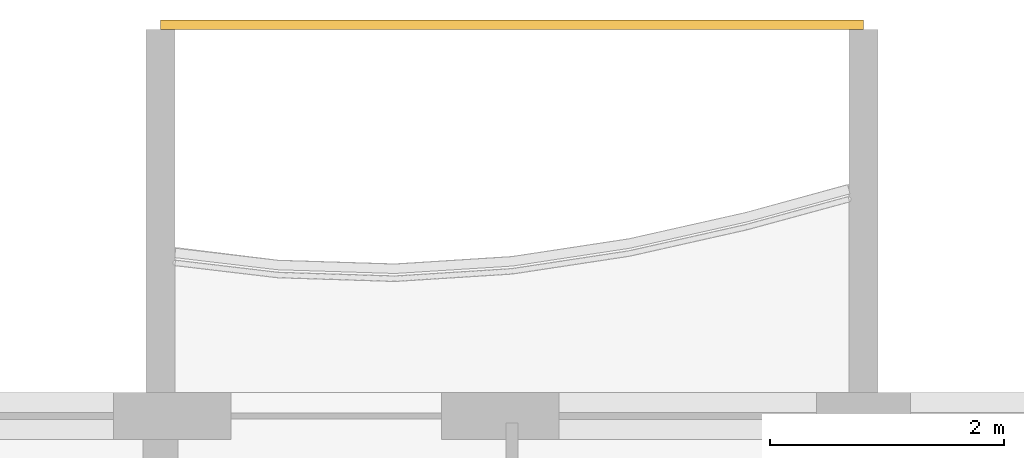
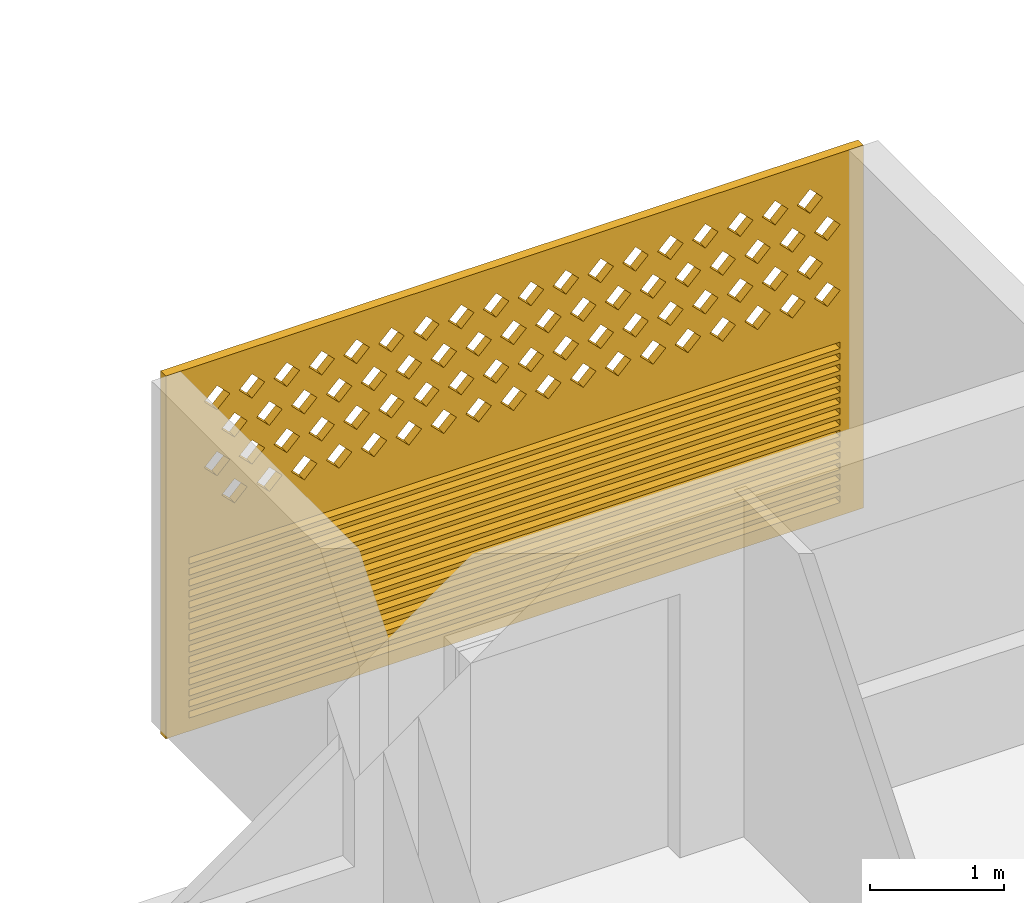
# One storey, part 26 of 32: 1 covering.
"""IFC4 building model written with IfcOpenShell, lengths in metres."""

from ifc_helpers import new_model, si_unit, direction, frame, origin, place, context, subcontext, project, spatial, polyline, outline, extrude, source, transform, mapped, material, material_profile, profile_set, type_object, element, save


model = new_model("IFC4")

# Units and contexts
model_context = context("Model", 3, precision=1e-05, world=origin(), true_north=direction((0.0, 1.0)))
body_context = subcontext(model_context, "Body", "Model", "MODEL_VIEW")
ifc_project = project(units=[si_unit("LENGTHUNIT", "METRE"), si_unit("AREAUNIT", "SQUARE_METRE"), si_unit("VOLUMEUNIT", "CUBIC_METRE"), si_unit("PLANEANGLEUNIT", "RADIAN"), si_unit("MASSUNIT", "GRAM", prefix="KILO")], contexts=[model_context])

# Site, building, storey
site_placement = place(None, origin())
site = spatial("IfcSite", under=ifc_project, at=site_placement, CompositionType="ELEMENT")
building_placement = place(site_placement, origin())
building = spatial("IfcBuilding", under=site, at=building_placement, Name="Poui Terraces", CompositionType="ELEMENT")
storey_placement = place(building_placement, frame((0.0, 0.0, 125.699951171875)))
storey = spatial("IfcBuildingStorey", under=building, at=storey_placement, Name="L34", CompositionType="ELEMENT", Elevation=125.699951171875)

# Covering
ifc_material = material(Name="Terracotta screen", Category="masonry")
ifc_material_profile = material_profile(ifc_material, outline(polyline([(-3.0, -1.64990234375), (3.0, -1.64990234375), (3.0, 1.64990234375), (-3.0, 1.64990234375), (-3.0, -1.64990234375)]), holes=[polyline([(-2.800048828125, 0.39990234375), (-2.68994140625, 0.2900390625), (-2.580078125, 0.39990234375), (-2.68994140625, 0.510009765625), (-2.800048828125, 0.39990234375)]), polyline([(-2.5, 0.39990234375), (-2.389892578125, 0.2900390625), (-2.280029296875, 0.39990234375), (-2.389892578125, 0.510009765625), (-2.5, 0.39990234375)]), polyline([(-2.199951171875, 0.39990234375), (-2.090087890625, 0.2900390625), (-1.97998046875, 0.39990234375), (-2.090087890625, 0.510009765625), (-2.199951171875, 0.39990234375)]), polyline([(-1.89990234375, 0.39990234375), (-1.7900390625, 0.2900390625), (-1.679931640625, 0.39990234375), (-1.7900390625, 0.510009765625), (-1.89990234375, 0.39990234375)]), polyline([(-1.60009765625, 0.39990234375), (-1.489990234375, 0.2900390625), (-1.3798828125, 0.39990234375), (-1.489990234375, 0.510009765625), (-1.60009765625, 0.39990234375)]), polyline([(-1.300048828125, 0.39990234375), (-1.18994140625, 0.2900390625), (-1.080078125, 0.39990234375), (-1.18994140625, 0.510009765625), (-1.300048828125, 0.39990234375)]), polyline([(-1.0, 0.39990234375), (-0.889892578125, 0.2900390625), (-0.780029296875, 0.39990234375), (-0.889892578125, 0.510009765625), (-1.0, 0.39990234375)]), polyline([(-0.699951171875, 0.39990234375), (-0.590087890625, 0.2900390625), (-0.47998046875, 0.39990234375), (-0.590087890625, 0.510009765625), (-0.699951171875, 0.39990234375)]), polyline([(-0.39990234375, 0.39990234375), (-0.2900390625, 0.2900390625), (-0.179931640625, 0.39990234375), (-0.2900390625, 0.510009765625), (-0.39990234375, 0.39990234375)]), polyline([(-0.10009765625, 0.39990234375), (0.010009765625, 0.2900390625), (0.1201171875, 0.39990234375), (0.010009765625, 0.510009765625), (-0.10009765625, 0.39990234375)]), polyline([(0.199951171875, 0.39990234375), (0.31005859375, 0.2900390625), (0.419921875, 0.39990234375), (0.31005859375, 0.510009765625), (0.199951171875, 0.39990234375)]), polyline([(0.5, 0.39990234375), (0.610107421875, 0.2900390625), (0.719970703125, 0.39990234375), (0.610107421875, 0.510009765625), (0.5, 0.39990234375)]), polyline([(0.800048828125, 0.39990234375), (0.909912109375, 0.2900390625), (1.02001953125, 0.39990234375), (0.909912109375, 0.510009765625), (0.800048828125, 0.39990234375)]), polyline([(1.10009765625, 0.39990234375), (1.2099609375, 0.2900390625), (1.320068359375, 0.39990234375), (1.2099609375, 0.510009765625), (1.10009765625, 0.39990234375)]), polyline([(1.39990234375, 0.39990234375), (1.510009765625, 0.2900390625), (1.6201171875, 0.39990234375), (1.510009765625, 0.510009765625), (1.39990234375, 0.39990234375)]), polyline([(1.699951171875, 0.39990234375), (1.81005859375, 0.2900390625), (1.919921875, 0.39990234375), (1.81005859375, 0.510009765625), (1.699951171875, 0.39990234375)]), polyline([(2.0, 0.39990234375), (2.110107421875, 0.2900390625), (2.219970703125, 0.39990234375), (2.110107421875, 0.510009765625), (2.0, 0.39990234375)]), polyline([(2.300048828125, 0.39990234375), (2.409912109375, 0.2900390625), (2.52001953125, 0.39990234375), (2.409912109375, 0.510009765625), (2.300048828125, 0.39990234375)]), polyline([(-2.64990234375, 0.699951171875), (-2.5400390625, 0.590087890625), (-2.429931640625, 0.699951171875), (-2.5400390625, 0.81005859375), (-2.64990234375, 0.699951171875)]), polyline([(-2.35009765625, 0.699951171875), (-2.239990234375, 0.590087890625), (-2.1298828125, 0.699951171875), (-2.239990234375, 0.81005859375), (-2.35009765625, 0.699951171875)]), polyline([(-2.050048828125, 0.699951171875), (-1.93994140625, 0.590087890625), (-1.830078125, 0.699951171875), (-1.93994140625, 0.81005859375), (-2.050048828125, 0.699951171875)]), polyline([(-1.75, 0.699951171875), (-1.639892578125, 0.590087890625), (-1.530029296875, 0.699951171875), (-1.639892578125, 0.81005859375), (-1.75, 0.699951171875)]), polyline([(-1.449951171875, 0.699951171875), (-1.340087890625, 0.590087890625), (-1.22998046875, 0.699951171875), (-1.340087890625, 0.81005859375), (-1.449951171875, 0.699951171875)]), polyline([(-1.14990234375, 0.699951171875), (-1.0400390625, 0.590087890625), (-0.929931640625, 0.699951171875), (-1.0400390625, 0.81005859375), (-1.14990234375, 0.699951171875)]), polyline([(-0.85009765625, 0.699951171875), (-0.739990234375, 0.590087890625), (-0.6298828125, 0.699951171875), (-0.739990234375, 0.81005859375), (-0.85009765625, 0.699951171875)]), polyline([(-0.550048828125, 0.699951171875), (-0.43994140625, 0.590087890625), (-0.330078125, 0.699951171875), (-0.43994140625, 0.81005859375), (-0.550048828125, 0.699951171875)]), polyline([(-0.25, 0.699951171875), (-0.139892578125, 0.590087890625), (-0.030029296875, 0.699951171875), (-0.139892578125, 0.81005859375), (-0.25, 0.699951171875)]), polyline([(0.050048828125, 0.699951171875), (0.159912109375, 0.590087890625), (0.27001953125, 0.699951171875), (0.159912109375, 0.81005859375), (0.050048828125, 0.699951171875)]), polyline([(0.35009765625, 0.699951171875), (0.4599609375, 0.590087890625), (0.570068359375, 0.699951171875), (0.4599609375, 0.81005859375), (0.35009765625, 0.699951171875)]), polyline([(0.64990234375, 0.699951171875), (0.760009765625, 0.590087890625), (0.8701171875, 0.699951171875), (0.760009765625, 0.81005859375), (0.64990234375, 0.699951171875)]), polyline([(0.949951171875, 0.699951171875), (1.06005859375, 0.590087890625), (1.169921875, 0.699951171875), (1.06005859375, 0.81005859375), (0.949951171875, 0.699951171875)]), polyline([(1.25, 0.699951171875), (1.360107421875, 0.590087890625), (1.469970703125, 0.699951171875), (1.360107421875, 0.81005859375), (1.25, 0.699951171875)]), polyline([(1.550048828125, 0.699951171875), (1.659912109375, 0.590087890625), (1.77001953125, 0.699951171875), (1.659912109375, 0.81005859375), (1.550048828125, 0.699951171875)]), polyline([(1.85009765625, 0.699951171875), (1.9599609375, 0.590087890625), (2.070068359375, 0.699951171875), (1.9599609375, 0.81005859375), (1.85009765625, 0.699951171875)]), polyline([(2.14990234375, 0.699951171875), (2.260009765625, 0.590087890625), (2.3701171875, 0.699951171875), (2.260009765625, 0.81005859375), (2.14990234375, 0.699951171875)]), polyline([(2.449951171875, 0.699951171875), (2.56005859375, 0.590087890625), (2.669921875, 0.699951171875), (2.56005859375, 0.81005859375), (2.449951171875, 0.699951171875)]), polyline([(-2.800048828125, 1.0), (-2.68994140625, 0.889892578125), (-2.580078125, 1.0), (-2.68994140625, 1.110107421875), (-2.800048828125, 1.0)]), polyline([(-2.5, 1.0), (-2.389892578125, 0.889892578125), (-2.280029296875, 1.0), (-2.389892578125, 1.110107421875), (-2.5, 1.0)]), polyline([(-2.199951171875, 1.0), (-2.090087890625, 0.889892578125), (-1.97998046875, 1.0), (-2.090087890625, 1.110107421875), (-2.199951171875, 1.0)]), polyline([(-1.89990234375, 1.0), (-1.7900390625, 0.889892578125), (-1.679931640625, 1.0), (-1.7900390625, 1.110107421875), (-1.89990234375, 1.0)]), polyline([(-1.60009765625, 1.0), (-1.489990234375, 0.889892578125), (-1.3798828125, 1.0), (-1.489990234375, 1.110107421875), (-1.60009765625, 1.0)]), polyline([(-1.300048828125, 1.0), (-1.18994140625, 0.889892578125), (-1.080078125, 1.0), (-1.18994140625, 1.110107421875), (-1.300048828125, 1.0)]), polyline([(-1.0, 1.0), (-0.889892578125, 0.889892578125), (-0.780029296875, 1.0), (-0.889892578125, 1.110107421875), (-1.0, 1.0)]), polyline([(-0.699951171875, 1.0), (-0.590087890625, 0.889892578125), (-0.47998046875, 1.0), (-0.590087890625, 1.110107421875), (-0.699951171875, 1.0)]), polyline([(-0.39990234375, 1.0), (-0.2900390625, 0.889892578125), (-0.179931640625, 1.0), (-0.2900390625, 1.110107421875), (-0.39990234375, 1.0)]), polyline([(-0.10009765625, 1.0), (0.010009765625, 0.889892578125), (0.1201171875, 1.0), (0.010009765625, 1.110107421875), (-0.10009765625, 1.0)]), polyline([(0.199951171875, 1.0), (0.31005859375, 0.889892578125), (0.419921875, 1.0), (0.31005859375, 1.110107421875), (0.199951171875, 1.0)]), polyline([(0.5, 1.0), (0.610107421875, 0.889892578125), (0.719970703125, 1.0), (0.610107421875, 1.110107421875), (0.5, 1.0)]), polyline([(0.800048828125, 1.0), (0.909912109375, 0.889892578125), (1.02001953125, 1.0), (0.909912109375, 1.110107421875), (0.800048828125, 1.0)]), polyline([(1.10009765625, 1.0), (1.2099609375, 0.889892578125), (1.320068359375, 1.0), (1.2099609375, 1.110107421875), (1.10009765625, 1.0)]), polyline([(1.39990234375, 1.0), (1.510009765625, 0.889892578125), (1.6201171875, 1.0), (1.510009765625, 1.110107421875), (1.39990234375, 1.0)]), polyline([(1.699951171875, 1.0), (1.81005859375, 0.889892578125), (1.919921875, 1.0), (1.81005859375, 1.110107421875), (1.699951171875, 1.0)]), polyline([(2.0, 1.0), (2.110107421875, 0.889892578125), (2.219970703125, 1.0), (2.110107421875, 1.110107421875), (2.0, 1.0)]), polyline([(2.300048828125, 1.0), (2.409912109375, 0.889892578125), (2.52001953125, 1.0), (2.409912109375, 1.110107421875), (2.300048828125, 1.0)]), polyline([(-2.64990234375, 1.300048828125), (-2.5400390625, 1.18994140625), (-2.429931640625, 1.300048828125), (-2.5400390625, 1.409912109375), (-2.64990234375, 1.300048828125)]), polyline([(-2.35009765625, 1.300048828125), (-2.239990234375, 1.18994140625), (-2.1298828125, 1.300048828125), (-2.239990234375, 1.409912109375), (-2.35009765625, 1.300048828125)]), polyline([(-2.050048828125, 1.300048828125), (-1.93994140625, 1.18994140625), (-1.830078125, 1.300048828125), (-1.93994140625, 1.409912109375), (-2.050048828125, 1.300048828125)]), polyline([(-1.75, 1.300048828125), (-1.639892578125, 1.18994140625), (-1.530029296875, 1.300048828125), (-1.639892578125, 1.409912109375), (-1.75, 1.300048828125)]), polyline([(-1.449951171875, 1.300048828125), (-1.340087890625, 1.18994140625), (-1.22998046875, 1.300048828125), (-1.340087890625, 1.409912109375), (-1.449951171875, 1.300048828125)]), polyline([(-1.14990234375, 1.300048828125), (-1.0400390625, 1.18994140625), (-0.929931640625, 1.300048828125), (-1.0400390625, 1.409912109375), (-1.14990234375, 1.300048828125)]), polyline([(-0.85009765625, 1.300048828125), (-0.739990234375, 1.18994140625), (-0.6298828125, 1.300048828125), (-0.739990234375, 1.409912109375), (-0.85009765625, 1.300048828125)]), polyline([(-0.550048828125, 1.300048828125), (-0.43994140625, 1.18994140625), (-0.330078125, 1.300048828125), (-0.43994140625, 1.409912109375), (-0.550048828125, 1.300048828125)]), polyline([(-0.25, 1.300048828125), (-0.139892578125, 1.18994140625), (-0.030029296875, 1.300048828125), (-0.139892578125, 1.409912109375), (-0.25, 1.300048828125)]), polyline([(0.050048828125, 1.300048828125), (0.159912109375, 1.18994140625), (0.27001953125, 1.300048828125), (0.159912109375, 1.409912109375), (0.050048828125, 1.300048828125)]), polyline([(0.35009765625, 1.300048828125), (0.4599609375, 1.18994140625), (0.570068359375, 1.300048828125), (0.4599609375, 1.409912109375), (0.35009765625, 1.300048828125)]), polyline([(0.64990234375, 1.300048828125), (0.760009765625, 1.18994140625), (0.8701171875, 1.300048828125), (0.760009765625, 1.409912109375), (0.64990234375, 1.300048828125)]), polyline([(0.949951171875, 1.300048828125), (1.06005859375, 1.18994140625), (1.169921875, 1.300048828125), (1.06005859375, 1.409912109375), (0.949951171875, 1.300048828125)]), polyline([(1.25, 1.300048828125), (1.360107421875, 1.18994140625), (1.469970703125, 1.300048828125), (1.360107421875, 1.409912109375), (1.25, 1.300048828125)]), polyline([(1.550048828125, 1.300048828125), (1.659912109375, 1.18994140625), (1.77001953125, 1.300048828125), (1.659912109375, 1.409912109375), (1.550048828125, 1.300048828125)]), polyline([(1.85009765625, 1.300048828125), (1.9599609375, 1.18994140625), (2.070068359375, 1.300048828125), (1.9599609375, 1.409912109375), (1.85009765625, 1.300048828125)]), polyline([(2.14990234375, 1.300048828125), (2.260009765625, 1.18994140625), (2.3701171875, 1.300048828125), (2.260009765625, 1.409912109375), (2.14990234375, 1.300048828125)]), polyline([(2.449951171875, 1.300048828125), (2.56005859375, 1.18994140625), (2.669921875, 1.300048828125), (2.56005859375, 1.409912109375), (2.449951171875, 1.300048828125)]), polyline([(-2.800048828125, -1.530029296875), (2.800048828125, -1.530029296875), (2.800048828125, -1.469970703125), (-2.800048828125, -1.469970703125), (-2.800048828125, -1.530029296875)]), polyline([(-2.800048828125, -1.429931640625), (2.800048828125, -1.429931640625), (2.800048828125, -1.3701171875), (-2.800048828125, -1.3701171875), (-2.800048828125, -1.429931640625)]), polyline([(-2.800048828125, -1.330078125), (2.800048828125, -1.330078125), (2.800048828125, -1.27001953125), (-2.800048828125, -1.27001953125), (-2.800048828125, -1.330078125)]), polyline([(-2.800048828125, -1.22998046875), (2.800048828125, -1.22998046875), (2.800048828125, -1.169921875), (-2.800048828125, -1.169921875), (-2.800048828125, -1.22998046875)]), polyline([(-2.800048828125, -1.1298828125), (2.800048828125, -1.1298828125), (2.800048828125, -1.070068359375), (-2.800048828125, -1.070068359375), (-2.800048828125, -1.1298828125)]), polyline([(-2.800048828125, -1.030029296875), (2.800048828125, -1.030029296875), (2.800048828125, -0.969970703125), (-2.800048828125, -0.969970703125), (-2.800048828125, -1.030029296875)]), polyline([(-2.800048828125, -0.929931640625), (2.800048828125, -0.929931640625), (2.800048828125, -0.8701171875), (-2.800048828125, -0.8701171875), (-2.800048828125, -0.929931640625)]), polyline([(-2.800048828125, -0.830078125), (2.800048828125, -0.830078125), (2.800048828125, -0.77001953125), (-2.800048828125, -0.77001953125), (-2.800048828125, -0.830078125)]), polyline([(-2.800048828125, -0.72998046875), (2.800048828125, -0.72998046875), (2.800048828125, -0.669921875), (-2.800048828125, -0.669921875), (-2.800048828125, -0.72998046875)]), polyline([(-2.800048828125, -0.6298828125), (2.800048828125, -0.6298828125), (2.800048828125, -0.570068359375), (-2.800048828125, -0.570068359375), (-2.800048828125, -0.6298828125)]), polyline([(-2.800048828125, -0.530029296875), (2.800048828125, -0.530029296875), (2.800048828125, -0.469970703125), (-2.800048828125, -0.469970703125), (-2.800048828125, -0.530029296875)]), polyline([(-2.800048828125, -0.429931640625), (2.800048828125, -0.429931640625), (2.800048828125, -0.3701171875), (-2.800048828125, -0.3701171875), (-2.800048828125, -0.429931640625)]), polyline([(-2.800048828125, -0.330078125), (2.800048828125, -0.330078125), (2.800048828125, -0.27001953125), (-2.800048828125, -0.27001953125), (-2.800048828125, -0.330078125)]), polyline([(-2.800048828125, -0.22998046875), (2.800048828125, -0.22998046875), (2.800048828125, -0.169921875), (-2.800048828125, -0.169921875), (-2.800048828125, -0.22998046875)]), polyline([(-2.800048828125, -0.1298828125), (2.800048828125, -0.1298828125), (2.800048828125, -0.070068359375), (-2.800048828125, -0.070068359375), (-2.800048828125, -0.1298828125)])]), Name="TERRACOTTA SCREEN AND JALOUSIE LOUVRE 6000X3300")
ifc_profile_set = profile_set([ifc_material_profile], Name="Terracotta screen")
covering_type = type_object("IfcCoveringType", Name="TERRACOTTA SCREEN AND JALOUSIE LOUVRE 6000X3300", PredefinedType="CLADDING", material=ifc_profile_set)
shared_shape = source(origin(), body_context, "Body", "SweptSolid", [
    extrude(outline(polyline([(-3.0, -1.64990234375), (3.0, -1.64990234375), (3.0, 1.64990234375), (-3.0, 1.64990234375), (-3.0, -1.64990234375)]), holes=[polyline([(-2.800048828125, 0.39990234375), (-2.68994140625, 0.2900390625), (-2.580078125, 0.39990234375), (-2.68994140625, 0.510009765625), (-2.800048828125, 0.39990234375)]), polyline([(-2.5, 0.39990234375), (-2.389892578125, 0.2900390625), (-2.280029296875, 0.39990234375), (-2.389892578125, 0.510009765625), (-2.5, 0.39990234375)]), polyline([(-2.199951171875, 0.39990234375), (-2.090087890625, 0.2900390625), (-1.97998046875, 0.39990234375), (-2.090087890625, 0.510009765625), (-2.199951171875, 0.39990234375)]), polyline([(-1.89990234375, 0.39990234375), (-1.7900390625, 0.2900390625), (-1.679931640625, 0.39990234375), (-1.7900390625, 0.510009765625), (-1.89990234375, 0.39990234375)]), polyline([(-1.60009765625, 0.39990234375), (-1.489990234375, 0.2900390625), (-1.3798828125, 0.39990234375), (-1.489990234375, 0.510009765625), (-1.60009765625, 0.39990234375)]), polyline([(-1.300048828125, 0.39990234375), (-1.18994140625, 0.2900390625), (-1.080078125, 0.39990234375), (-1.18994140625, 0.510009765625), (-1.300048828125, 0.39990234375)]), polyline([(-1.0, 0.39990234375), (-0.889892578125, 0.2900390625), (-0.780029296875, 0.39990234375), (-0.889892578125, 0.510009765625), (-1.0, 0.39990234375)]), polyline([(-0.699951171875, 0.39990234375), (-0.590087890625, 0.2900390625), (-0.47998046875, 0.39990234375), (-0.590087890625, 0.510009765625), (-0.699951171875, 0.39990234375)]), polyline([(-0.39990234375, 0.39990234375), (-0.2900390625, 0.2900390625), (-0.179931640625, 0.39990234375), (-0.2900390625, 0.510009765625), (-0.39990234375, 0.39990234375)]), polyline([(-0.10009765625, 0.39990234375), (0.010009765625, 0.2900390625), (0.1201171875, 0.39990234375), (0.010009765625, 0.510009765625), (-0.10009765625, 0.39990234375)]), polyline([(0.199951171875, 0.39990234375), (0.31005859375, 0.2900390625), (0.419921875, 0.39990234375), (0.31005859375, 0.510009765625), (0.199951171875, 0.39990234375)]), polyline([(0.5, 0.39990234375), (0.610107421875, 0.2900390625), (0.719970703125, 0.39990234375), (0.610107421875, 0.510009765625), (0.5, 0.39990234375)]), polyline([(0.800048828125, 0.39990234375), (0.909912109375, 0.2900390625), (1.02001953125, 0.39990234375), (0.909912109375, 0.510009765625), (0.800048828125, 0.39990234375)]), polyline([(1.10009765625, 0.39990234375), (1.2099609375, 0.2900390625), (1.320068359375, 0.39990234375), (1.2099609375, 0.510009765625), (1.10009765625, 0.39990234375)]), polyline([(1.39990234375, 0.39990234375), (1.510009765625, 0.2900390625), (1.6201171875, 0.39990234375), (1.510009765625, 0.510009765625), (1.39990234375, 0.39990234375)]), polyline([(1.699951171875, 0.39990234375), (1.81005859375, 0.2900390625), (1.919921875, 0.39990234375), (1.81005859375, 0.510009765625), (1.699951171875, 0.39990234375)]), polyline([(2.0, 0.39990234375), (2.110107421875, 0.2900390625), (2.219970703125, 0.39990234375), (2.110107421875, 0.510009765625), (2.0, 0.39990234375)]), polyline([(2.300048828125, 0.39990234375), (2.409912109375, 0.2900390625), (2.52001953125, 0.39990234375), (2.409912109375, 0.510009765625), (2.300048828125, 0.39990234375)]), polyline([(-2.64990234375, 0.699951171875), (-2.5400390625, 0.590087890625), (-2.429931640625, 0.699951171875), (-2.5400390625, 0.81005859375), (-2.64990234375, 0.699951171875)]), polyline([(-2.35009765625, 0.699951171875), (-2.239990234375, 0.590087890625), (-2.1298828125, 0.699951171875), (-2.239990234375, 0.81005859375), (-2.35009765625, 0.699951171875)]), polyline([(-2.050048828125, 0.699951171875), (-1.93994140625, 0.590087890625), (-1.830078125, 0.699951171875), (-1.93994140625, 0.81005859375), (-2.050048828125, 0.699951171875)]), polyline([(-1.75, 0.699951171875), (-1.639892578125, 0.590087890625), (-1.530029296875, 0.699951171875), (-1.639892578125, 0.81005859375), (-1.75, 0.699951171875)]), polyline([(-1.449951171875, 0.699951171875), (-1.340087890625, 0.590087890625), (-1.22998046875, 0.699951171875), (-1.340087890625, 0.81005859375), (-1.449951171875, 0.699951171875)]), polyline([(-1.14990234375, 0.699951171875), (-1.0400390625, 0.590087890625), (-0.929931640625, 0.699951171875), (-1.0400390625, 0.81005859375), (-1.14990234375, 0.699951171875)]), polyline([(-0.85009765625, 0.699951171875), (-0.739990234375, 0.590087890625), (-0.6298828125, 0.699951171875), (-0.739990234375, 0.81005859375), (-0.85009765625, 0.699951171875)]), polyline([(-0.550048828125, 0.699951171875), (-0.43994140625, 0.590087890625), (-0.330078125, 0.699951171875), (-0.43994140625, 0.81005859375), (-0.550048828125, 0.699951171875)]), polyline([(-0.25, 0.699951171875), (-0.139892578125, 0.590087890625), (-0.030029296875, 0.699951171875), (-0.139892578125, 0.81005859375), (-0.25, 0.699951171875)]), polyline([(0.050048828125, 0.699951171875), (0.159912109375, 0.590087890625), (0.27001953125, 0.699951171875), (0.159912109375, 0.81005859375), (0.050048828125, 0.699951171875)]), polyline([(0.35009765625, 0.699951171875), (0.4599609375, 0.590087890625), (0.570068359375, 0.699951171875), (0.4599609375, 0.81005859375), (0.35009765625, 0.699951171875)]), polyline([(0.64990234375, 0.699951171875), (0.760009765625, 0.590087890625), (0.8701171875, 0.699951171875), (0.760009765625, 0.81005859375), (0.64990234375, 0.699951171875)]), polyline([(0.949951171875, 0.699951171875), (1.06005859375, 0.590087890625), (1.169921875, 0.699951171875), (1.06005859375, 0.81005859375), (0.949951171875, 0.699951171875)]), polyline([(1.25, 0.699951171875), (1.360107421875, 0.590087890625), (1.469970703125, 0.699951171875), (1.360107421875, 0.81005859375), (1.25, 0.699951171875)]), polyline([(1.550048828125, 0.699951171875), (1.659912109375, 0.590087890625), (1.77001953125, 0.699951171875), (1.659912109375, 0.81005859375), (1.550048828125, 0.699951171875)]), polyline([(1.85009765625, 0.699951171875), (1.9599609375, 0.590087890625), (2.070068359375, 0.699951171875), (1.9599609375, 0.81005859375), (1.85009765625, 0.699951171875)]), polyline([(2.14990234375, 0.699951171875), (2.260009765625, 0.590087890625), (2.3701171875, 0.699951171875), (2.260009765625, 0.81005859375), (2.14990234375, 0.699951171875)]), polyline([(2.449951171875, 0.699951171875), (2.56005859375, 0.590087890625), (2.669921875, 0.699951171875), (2.56005859375, 0.81005859375), (2.449951171875, 0.699951171875)]), polyline([(-2.800048828125, 1.0), (-2.68994140625, 0.889892578125), (-2.580078125, 1.0), (-2.68994140625, 1.110107421875), (-2.800048828125, 1.0)]), polyline([(-2.5, 1.0), (-2.389892578125, 0.889892578125), (-2.280029296875, 1.0), (-2.389892578125, 1.110107421875), (-2.5, 1.0)]), polyline([(-2.199951171875, 1.0), (-2.090087890625, 0.889892578125), (-1.97998046875, 1.0), (-2.090087890625, 1.110107421875), (-2.199951171875, 1.0)]), polyline([(-1.89990234375, 1.0), (-1.7900390625, 0.889892578125), (-1.679931640625, 1.0), (-1.7900390625, 1.110107421875), (-1.89990234375, 1.0)]), polyline([(-1.60009765625, 1.0), (-1.489990234375, 0.889892578125), (-1.3798828125, 1.0), (-1.489990234375, 1.110107421875), (-1.60009765625, 1.0)]), polyline([(-1.300048828125, 1.0), (-1.18994140625, 0.889892578125), (-1.080078125, 1.0), (-1.18994140625, 1.110107421875), (-1.300048828125, 1.0)]), polyline([(-1.0, 1.0), (-0.889892578125, 0.889892578125), (-0.780029296875, 1.0), (-0.889892578125, 1.110107421875), (-1.0, 1.0)]), polyline([(-0.699951171875, 1.0), (-0.590087890625, 0.889892578125), (-0.47998046875, 1.0), (-0.590087890625, 1.110107421875), (-0.699951171875, 1.0)]), polyline([(-0.39990234375, 1.0), (-0.2900390625, 0.889892578125), (-0.179931640625, 1.0), (-0.2900390625, 1.110107421875), (-0.39990234375, 1.0)]), polyline([(-0.10009765625, 1.0), (0.010009765625, 0.889892578125), (0.1201171875, 1.0), (0.010009765625, 1.110107421875), (-0.10009765625, 1.0)]), polyline([(0.199951171875, 1.0), (0.31005859375, 0.889892578125), (0.419921875, 1.0), (0.31005859375, 1.110107421875), (0.199951171875, 1.0)]), polyline([(0.5, 1.0), (0.610107421875, 0.889892578125), (0.719970703125, 1.0), (0.610107421875, 1.110107421875), (0.5, 1.0)]), polyline([(0.800048828125, 1.0), (0.909912109375, 0.889892578125), (1.02001953125, 1.0), (0.909912109375, 1.110107421875), (0.800048828125, 1.0)]), polyline([(1.10009765625, 1.0), (1.2099609375, 0.889892578125), (1.320068359375, 1.0), (1.2099609375, 1.110107421875), (1.10009765625, 1.0)]), polyline([(1.39990234375, 1.0), (1.510009765625, 0.889892578125), (1.6201171875, 1.0), (1.510009765625, 1.110107421875), (1.39990234375, 1.0)]), polyline([(1.699951171875, 1.0), (1.81005859375, 0.889892578125), (1.919921875, 1.0), (1.81005859375, 1.110107421875), (1.699951171875, 1.0)]), polyline([(2.0, 1.0), (2.110107421875, 0.889892578125), (2.219970703125, 1.0), (2.110107421875, 1.110107421875), (2.0, 1.0)]), polyline([(2.300048828125, 1.0), (2.409912109375, 0.889892578125), (2.52001953125, 1.0), (2.409912109375, 1.110107421875), (2.300048828125, 1.0)]), polyline([(-2.64990234375, 1.300048828125), (-2.5400390625, 1.18994140625), (-2.429931640625, 1.300048828125), (-2.5400390625, 1.409912109375), (-2.64990234375, 1.300048828125)]), polyline([(-2.35009765625, 1.300048828125), (-2.239990234375, 1.18994140625), (-2.1298828125, 1.300048828125), (-2.239990234375, 1.409912109375), (-2.35009765625, 1.300048828125)]), polyline([(-2.050048828125, 1.300048828125), (-1.93994140625, 1.18994140625), (-1.830078125, 1.300048828125), (-1.93994140625, 1.409912109375), (-2.050048828125, 1.300048828125)]), polyline([(-1.75, 1.300048828125), (-1.639892578125, 1.18994140625), (-1.530029296875, 1.300048828125), (-1.639892578125, 1.409912109375), (-1.75, 1.300048828125)]), polyline([(-1.449951171875, 1.300048828125), (-1.340087890625, 1.18994140625), (-1.22998046875, 1.300048828125), (-1.340087890625, 1.409912109375), (-1.449951171875, 1.300048828125)]), polyline([(-1.14990234375, 1.300048828125), (-1.0400390625, 1.18994140625), (-0.929931640625, 1.300048828125), (-1.0400390625, 1.409912109375), (-1.14990234375, 1.300048828125)]), polyline([(-0.85009765625, 1.300048828125), (-0.739990234375, 1.18994140625), (-0.6298828125, 1.300048828125), (-0.739990234375, 1.409912109375), (-0.85009765625, 1.300048828125)]), polyline([(-0.550048828125, 1.300048828125), (-0.43994140625, 1.18994140625), (-0.330078125, 1.300048828125), (-0.43994140625, 1.409912109375), (-0.550048828125, 1.300048828125)]), polyline([(-0.25, 1.300048828125), (-0.139892578125, 1.18994140625), (-0.030029296875, 1.300048828125), (-0.139892578125, 1.409912109375), (-0.25, 1.300048828125)]), polyline([(0.050048828125, 1.300048828125), (0.159912109375, 1.18994140625), (0.27001953125, 1.300048828125), (0.159912109375, 1.409912109375), (0.050048828125, 1.300048828125)]), polyline([(0.35009765625, 1.300048828125), (0.4599609375, 1.18994140625), (0.570068359375, 1.300048828125), (0.4599609375, 1.409912109375), (0.35009765625, 1.300048828125)]), polyline([(0.64990234375, 1.300048828125), (0.760009765625, 1.18994140625), (0.8701171875, 1.300048828125), (0.760009765625, 1.409912109375), (0.64990234375, 1.300048828125)]), polyline([(0.949951171875, 1.300048828125), (1.06005859375, 1.18994140625), (1.169921875, 1.300048828125), (1.06005859375, 1.409912109375), (0.949951171875, 1.300048828125)]), polyline([(1.25, 1.300048828125), (1.360107421875, 1.18994140625), (1.469970703125, 1.300048828125), (1.360107421875, 1.409912109375), (1.25, 1.300048828125)]), polyline([(1.550048828125, 1.300048828125), (1.659912109375, 1.18994140625), (1.77001953125, 1.300048828125), (1.659912109375, 1.409912109375), (1.550048828125, 1.300048828125)]), polyline([(1.85009765625, 1.300048828125), (1.9599609375, 1.18994140625), (2.070068359375, 1.300048828125), (1.9599609375, 1.409912109375), (1.85009765625, 1.300048828125)]), polyline([(2.14990234375, 1.300048828125), (2.260009765625, 1.18994140625), (2.3701171875, 1.300048828125), (2.260009765625, 1.409912109375), (2.14990234375, 1.300048828125)]), polyline([(2.449951171875, 1.300048828125), (2.56005859375, 1.18994140625), (2.669921875, 1.300048828125), (2.56005859375, 1.409912109375), (2.449951171875, 1.300048828125)]), polyline([(-2.800048828125, -1.530029296875), (2.800048828125, -1.530029296875), (2.800048828125, -1.469970703125), (-2.800048828125, -1.469970703125), (-2.800048828125, -1.530029296875)]), polyline([(-2.800048828125, -1.429931640625), (2.800048828125, -1.429931640625), (2.800048828125, -1.3701171875), (-2.800048828125, -1.3701171875), (-2.800048828125, -1.429931640625)]), polyline([(-2.800048828125, -1.330078125), (2.800048828125, -1.330078125), (2.800048828125, -1.27001953125), (-2.800048828125, -1.27001953125), (-2.800048828125, -1.330078125)]), polyline([(-2.800048828125, -1.22998046875), (2.800048828125, -1.22998046875), (2.800048828125, -1.169921875), (-2.800048828125, -1.169921875), (-2.800048828125, -1.22998046875)]), polyline([(-2.800048828125, -1.1298828125), (2.800048828125, -1.1298828125), (2.800048828125, -1.070068359375), (-2.800048828125, -1.070068359375), (-2.800048828125, -1.1298828125)]), polyline([(-2.800048828125, -1.030029296875), (2.800048828125, -1.030029296875), (2.800048828125, -0.969970703125), (-2.800048828125, -0.969970703125), (-2.800048828125, -1.030029296875)]), polyline([(-2.800048828125, -0.929931640625), (2.800048828125, -0.929931640625), (2.800048828125, -0.8701171875), (-2.800048828125, -0.8701171875), (-2.800048828125, -0.929931640625)]), polyline([(-2.800048828125, -0.830078125), (2.800048828125, -0.830078125), (2.800048828125, -0.77001953125), (-2.800048828125, -0.77001953125), (-2.800048828125, -0.830078125)]), polyline([(-2.800048828125, -0.72998046875), (2.800048828125, -0.72998046875), (2.800048828125, -0.669921875), (-2.800048828125, -0.669921875), (-2.800048828125, -0.72998046875)]), polyline([(-2.800048828125, -0.6298828125), (2.800048828125, -0.6298828125), (2.800048828125, -0.570068359375), (-2.800048828125, -0.570068359375), (-2.800048828125, -0.6298828125)]), polyline([(-2.800048828125, -0.530029296875), (2.800048828125, -0.530029296875), (2.800048828125, -0.469970703125), (-2.800048828125, -0.469970703125), (-2.800048828125, -0.530029296875)]), polyline([(-2.800048828125, -0.429931640625), (2.800048828125, -0.429931640625), (2.800048828125, -0.3701171875), (-2.800048828125, -0.3701171875), (-2.800048828125, -0.429931640625)]), polyline([(-2.800048828125, -0.330078125), (2.800048828125, -0.330078125), (2.800048828125, -0.27001953125), (-2.800048828125, -0.27001953125), (-2.800048828125, -0.330078125)]), polyline([(-2.800048828125, -0.22998046875), (2.800048828125, -0.22998046875), (2.800048828125, -0.169921875), (-2.800048828125, -0.169921875), (-2.800048828125, -0.22998046875)]), polyline([(-2.800048828125, -0.1298828125), (2.800048828125, -0.1298828125), (2.800048828125, -0.070068359375), (-2.800048828125, -0.070068359375), (-2.800048828125, -0.1298828125)])]), origin(), (0.0, 0.0, 1.0), 0.080078125),
])
covering_placement = place(storey_placement, frame((51.0, 45.699951171875, 1.449951171875), z_axis=(0.0, 1.0, 0.0), x_axis=(-1.0, 0.0, 0.0)))
element("IfcCovering", 1, at=covering_placement, inside=storey, type_object=covering_type, Name="SOLAR SCREEN AND JALOUSIE LOUVRE", PredefinedType="CLADDING", context=body_context, shape_type="MappedRepresentation", body=[
    mapped(shared_shape, transform((0.0, 0.0, 0.0))),
])

save(model, "model.ifc")
